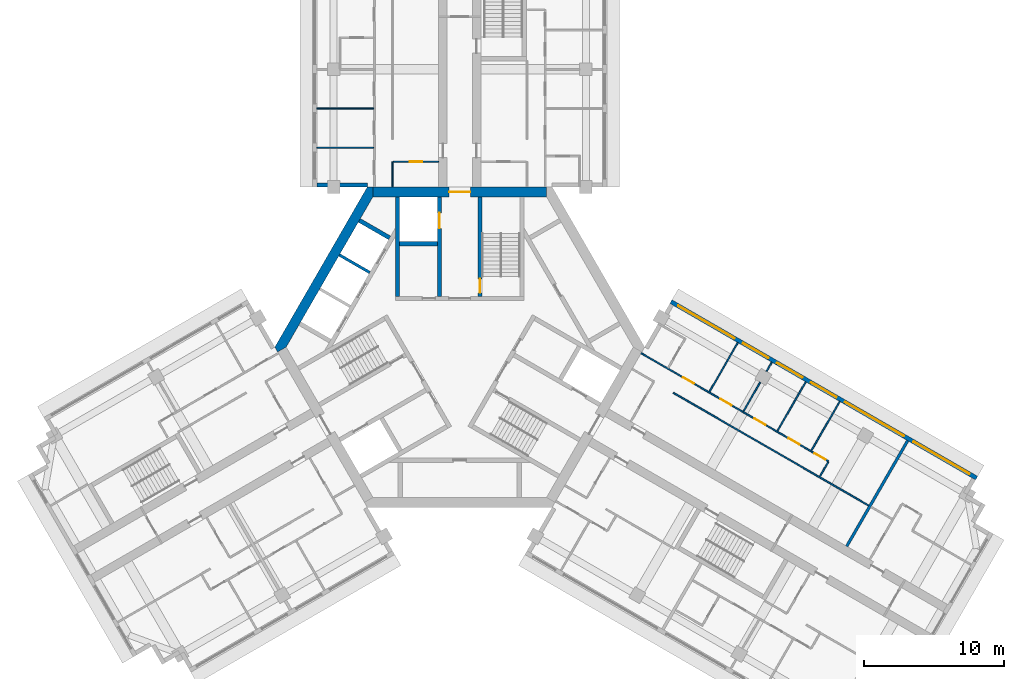
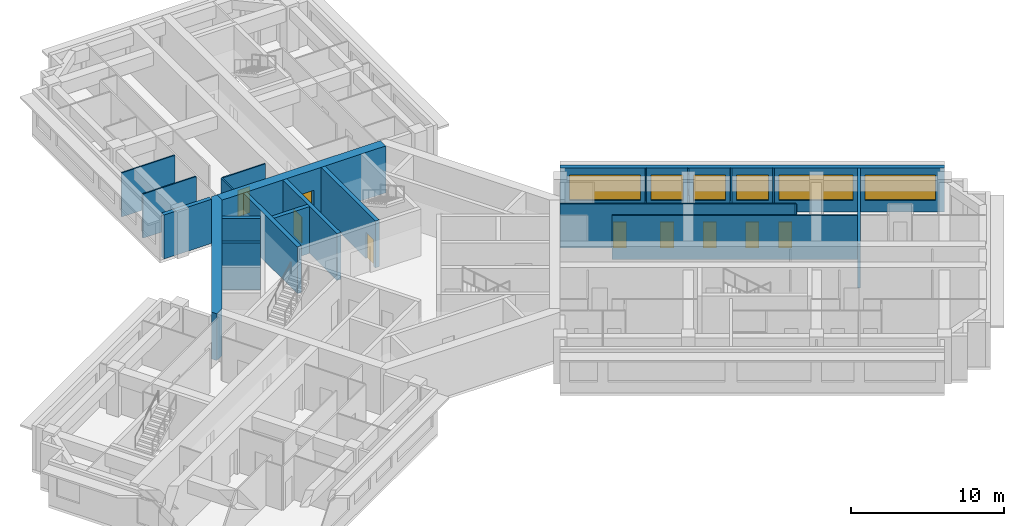
# One storey, part 6 of 10: 23 walls, 9 doors, 6 windows, 15 openings.
"""IFC4 building model written with IfcOpenShell, lengths in metres."""

from ifc_helpers import new_model, si_unit, direction, frame, frame_2d, origin, place, context, subcontext, project, spatial, polyline, rectangle, outline, extrude, material, layer, layer_set, type_object, element, fill, save


model = new_model("IFC4")

# Units and contexts
model_context = context("Model", 3, precision=1e-05, world=origin(), true_north=direction((0.0, 1.0)))
body_context = subcontext(model_context, "Body", "Model", "MODEL_VIEW")
ifc_project = project(units=[si_unit("LENGTHUNIT", "METRE"), si_unit("AREAUNIT", "SQUARE_METRE"), si_unit("VOLUMEUNIT", "CUBIC_METRE"), si_unit("PLANEANGLEUNIT", "RADIAN"), si_unit("MASSUNIT", "GRAM", prefix="KILO")], contexts=[model_context])

# Site, building, storey
site_placement = place(None, origin())
site = spatial("IfcSite", under=ifc_project, at=site_placement, CompositionType="ELEMENT")
building_placement = place(site_placement, origin())
building = spatial("IfcBuilding", under=site, at=building_placement, Name="Impinga Residences", CompositionType="ELEMENT")
storey_placement = place(building_placement, frame((0.0, 0.0, 233.5)))
storey = spatial("IfcBuildingStorey", under=building, at=storey_placement, Name="L58", CompositionType="ELEMENT", Elevation=233.5)

# Wall
ifc_material_1 = material(Name="Terracotta rainscreen on blockwork", Category="masonry")
ifc_layer_1 = layer(ifc_material_1, 0.300048828125)
ifc_layer_set_1 = layer_set([ifc_layer_1], Name="EW1 external wall, terracotta rainscreen on blockwork 300")
wall_type_1 = type_object("IfcWallType", Name="EW1 external wall, terracotta rainscreen on blockwork 300", PredefinedType="SOLIDWALL", material=ifc_layer_set_1)
wall_1_placement = place(storey_placement, frame((-6.60009765625, 11.58154296875, 0.0), z_axis=(0.0, 0.0, 1.0), x_axis=(-1.0, 0.0, 0.0)))
element("IfcWall", 1, at=wall_1_placement, inside=storey, type_object=wall_type_1, Name="External wall EW1 L58", PredefinedType="SOLIDWALL", context=body_context, shape_type="SweptSolid", body=[
    extrude(rectangle(XDim=3.599853515625, YDim=0.300048828125, at=frame_2d((1.7998046875, 0.0))), origin(), (0.0, 0.0, 1.0), 3.530029296875),
])

# Wall, openings, windows
wall_2_placement = place(storey_placement, frame((15.074951171875, 3.24755859375, 0.0), z_axis=(0.0, 0.0, 1.0), x_axis=(0.86602925447, -0.499993330357, 0.0)))
wall_2 = element("IfcWall", 2, at=wall_2_placement, inside=storey, type_object=wall_type_1, Name="External wall EW1 L58", PredefinedType="SOLIDWALL", context=body_context, shape_type="SweptSolid", body=[
    extrude(rectangle(XDim=25.199951171875, YDim=0.300048828125, at=frame_2d((12.60009765625, 0.0))), origin(), (0.0, 0.0, 1.0), 3.530029296875),
])
opening_1_placement = place(wall_2_placement, frame((0.60009765625, 0.0, 0.89990234375)))
opening_1 = element("IfcOpeningElement", 3, at=opening_1_placement, cuts=wall_2, Name="Opening W10", PredefinedType="OPENING", context=body_context, shape_type="SweptSolid", body=[
    extrude(rectangle(XDim=4.64990234375, YDim=2.050048828125, at=frame_2d((2.324951171875, 1.02490234375))), frame((0.0, 0.159912109375, 0.0), z_axis=(0.0, -1.0, 0.0), x_axis=(1.0, 0.0, 0.0)), (0.0, 0.0, 1.0), 0.320068359375),
])
opening_2_placement = place(wall_2_placement, frame((5.949951171875, 0.0, 0.89990234375)))
opening_2 = element("IfcOpeningElement", 4, at=opening_2_placement, cuts=wall_2, Name="Opening W9", PredefinedType="OPENING", context=body_context, shape_type="SweptSolid", body=[
    extrude(rectangle(XDim=2.10009765625, YDim=2.050048828125, at=frame_2d((1.050048828125, 1.02490234375))), frame((0.0, 0.159912109375, 0.0), z_axis=(0.0, -1.0, 0.0), x_axis=(1.0, 0.0, 0.0)), (0.0, 0.0, 1.0), 0.320068359375),
])
opening_3_placement = place(wall_2_placement, frame((8.75, 0.0, 0.89990234375)))
opening_3 = element("IfcOpeningElement", 5, at=opening_3_placement, cuts=wall_2, Name="Opening W9", PredefinedType="OPENING", context=body_context, shape_type="SweptSolid", body=[
    extrude(rectangle(XDim=2.10009765625, YDim=2.050048828125, at=frame_2d((1.050048828125, 1.02490234375))), frame((0.0, 0.159912109375, 0.0), z_axis=(0.0, -1.0, 0.0), x_axis=(1.0, 0.0, 0.0)), (0.0, 0.0, 1.0), 0.320068359375),
])
opening_4_placement = place(wall_2_placement, frame((11.550048828125, 0.0, 0.89990234375)))
opening_4 = element("IfcOpeningElement", 6, at=opening_4_placement, cuts=wall_2, Name="Opening W9", PredefinedType="OPENING", context=body_context, shape_type="SweptSolid", body=[
    extrude(rectangle(XDim=2.10009765625, YDim=2.050048828125, at=frame_2d((1.050048828125, 1.02490234375))), frame((0.0, 0.159912109375, 0.0), z_axis=(0.0, -1.0, 0.0), x_axis=(1.0, 0.0, 0.0)), (0.0, 0.0, 1.0), 0.320068359375),
])
opening_5_placement = place(wall_2_placement, frame((14.35009765625, 0.0, 0.89990234375)))
opening_5 = element("IfcOpeningElement", 7, at=opening_5_placement, cuts=wall_2, Name="Opening W6", PredefinedType="OPENING", context=body_context, shape_type="SweptSolid", body=[
    extrude(rectangle(XDim=4.85009765625, YDim=2.050048828125, at=frame_2d((2.425048828125, 1.02490234375))), frame((0.0, 0.159912109375, 0.0), z_axis=(0.0, -1.0, 0.0), x_axis=(1.0, 0.0, 0.0)), (0.0, 0.0, 1.0), 0.320068359375),
])
opening_6_placement = place(wall_2_placement, frame((20.0, 0.0, 0.89990234375)))
opening_6 = element("IfcOpeningElement", 8, at=opening_6_placement, cuts=wall_2, Name="Opening W3", PredefinedType="OPENING", context=body_context, shape_type="SweptSolid", body=[
    extrude(rectangle(XDim=4.60009765625, YDim=2.050048828125, at=frame_2d((2.300048828125, 1.02490234375))), frame((0.0, 0.159912109375, 0.0), z_axis=(0.0, -1.0, 0.0), x_axis=(1.0, 0.0, 0.0)), (0.0, 0.0, 1.0), 0.320068359375),
])
ifc_material_2 = material(Name="Aluminium window, clear double glazing", Category="aluminium")
window_type_1 = type_object("IfcWindowType", Name="W10 ribbon window 4650x2050", PartitioningType="SINGLE_PANEL", PredefinedType="WINDOW", material=ifc_material_2)
window_1_placement = place(opening_1_placement, origin())
window_1 = element("IfcWindow", 9, at=window_1_placement, inside=storey, type_object=window_type_1, Name="Window L58", OverallHeight=2.050048828125, OverallWidth=4.64990234375, PartitioningType="SINGLE_PANEL", PredefinedType="WINDOW", context=body_context, shape_type="SweptSolid", body=[
    extrude(rectangle(XDim=4.64990234375, YDim=2.050048828125, at=frame_2d((2.324951171875, 1.02490234375))), frame((0.0, 0.030029296875, 0.0), z_axis=(0.0, -1.0, 0.0), x_axis=(1.0, 0.0, 0.0)), (0.0, 0.0, 1.0), 0.06005859375),
])
fill(opening_1, window_1)
window_type_2 = type_object("IfcWindowType", Name="W3 ribbon window 4600x2050", PartitioningType="SINGLE_PANEL", PredefinedType="WINDOW", material=ifc_material_2)
window_2_placement = place(opening_6_placement, origin())
window_2 = element("IfcWindow", 10, at=window_2_placement, inside=storey, type_object=window_type_2, Name="Window L58", OverallHeight=2.050048828125, OverallWidth=4.60009765625, PartitioningType="SINGLE_PANEL", PredefinedType="WINDOW", context=body_context, shape_type="SweptSolid", body=[
    extrude(rectangle(XDim=4.60009765625, YDim=2.050048828125, at=frame_2d((2.300048828125, 1.02490234375))), frame((0.0, 0.030029296875, 0.0), z_axis=(0.0, -1.0, 0.0), x_axis=(1.0, 0.0, 0.0)), (0.0, 0.0, 1.0), 0.06005859375),
])
fill(opening_6, window_2)
window_type_3 = type_object("IfcWindowType", Name="W6 ribbon window 4850x2050", PartitioningType="SINGLE_PANEL", PredefinedType="WINDOW", material=ifc_material_2)
window_3_placement = place(opening_5_placement, origin())
window_3 = element("IfcWindow", 11, at=window_3_placement, inside=storey, type_object=window_type_3, Name="Window L58", OverallHeight=2.050048828125, OverallWidth=4.85009765625, PartitioningType="SINGLE_PANEL", PredefinedType="WINDOW", context=body_context, shape_type="SweptSolid", body=[
    extrude(rectangle(XDim=4.85009765625, YDim=2.050048828125, at=frame_2d((2.425048828125, 1.02490234375))), frame((0.0, 0.030029296875, 0.0), z_axis=(0.0, -1.0, 0.0), x_axis=(1.0, 0.0, 0.0)), (0.0, 0.0, 1.0), 0.06005859375),
])
fill(opening_5, window_3)
window_type_4 = type_object("IfcWindowType", Name="W9 ribbon window 2100x2050", PartitioningType="SINGLE_PANEL", PredefinedType="WINDOW", material=ifc_material_2)
window_4_placement = place(opening_2_placement, origin())
window_4 = element("IfcWindow", 12, at=window_4_placement, inside=storey, type_object=window_type_4, Name="Window L58", OverallHeight=2.050048828125, OverallWidth=2.10009765625, PartitioningType="SINGLE_PANEL", PredefinedType="WINDOW", context=body_context, shape_type="SweptSolid", body=[
    extrude(rectangle(XDim=2.10009765625, YDim=2.050048828125, at=frame_2d((1.050048828125, 1.02490234375))), frame((0.0, 0.030029296875, 0.0), z_axis=(0.0, -1.0, 0.0), x_axis=(1.0, 0.0, 0.0)), (0.0, 0.0, 1.0), 0.06005859375),
])
fill(opening_2, window_4)
window_5_placement = place(opening_3_placement, origin())
window_5 = element("IfcWindow", 13, at=window_5_placement, inside=storey, type_object=window_type_4, Name="Window L58", OverallHeight=2.050048828125, OverallWidth=2.10009765625, PartitioningType="SINGLE_PANEL", PredefinedType="WINDOW", context=body_context, shape_type="SweptSolid", body=[
    extrude(rectangle(XDim=2.10009765625, YDim=2.050048828125, at=frame_2d((1.050048828125, 1.02490234375))), frame((0.0, 0.030029296875, 0.0), z_axis=(0.0, -1.0, 0.0), x_axis=(1.0, 0.0, 0.0)), (0.0, 0.0, 1.0), 0.06005859375),
])
fill(opening_3, window_5)
window_6_placement = place(opening_4_placement, origin())
window_6 = element("IfcWindow", 14, at=window_6_placement, inside=storey, type_object=window_type_4, Name="Window L58", OverallHeight=2.050048828125, OverallWidth=2.10009765625, PartitioningType="SINGLE_PANEL", PredefinedType="WINDOW", context=body_context, shape_type="SweptSolid", body=[
    extrude(rectangle(XDim=2.10009765625, YDim=2.050048828125, at=frame_2d((1.050048828125, 1.02490234375))), frame((0.0, 0.030029296875, 0.0), z_axis=(0.0, -1.0, 0.0), x_axis=(1.0, 0.0, 0.0)), (0.0, 0.0, 1.0), 0.06005859375),
])
fill(opening_4, window_6)

# Wall
ifc_material_3 = material(Name="Gypsum board on steel studs", Category="steel")
ifc_layer_2 = layer(ifc_material_3, 0.10009765625)
ifc_layer_set_2 = layer_set([ifc_layer_2], Name="Gypsum board on steel studs")
wall_type_2 = type_object("IfcWallType", Name="IP1 partition 100", PredefinedType="PARTITIONING", material=ifc_layer_set_2)
wall_3_placement = place(storey_placement, frame((-4.800048828125, 11.431640625, 0.0), z_axis=(0.0, 0.0, 1.0), x_axis=(0.0, 1.0, 0.0)))
element("IfcWall", 15, at=wall_3_placement, inside=storey, type_object=wall_type_2, Name="Partition L58-NA1:DIV0", PredefinedType="PARTITIONING", context=body_context, shape_type="SweptSolid", body=[
    extrude(rectangle(XDim=1.7998046875, YDim=0.10009765625, at=frame_2d((0.89990234375, 0.0))), origin(), (0.0, 0.0, 1.0), 3.530029296875),
])

# Wall, opening, door
wall_4_placement = place(storey_placement, frame((-1.5, 13.2314453125, 0.0), z_axis=(0.0, 0.0, 1.0), x_axis=(-1.0, 0.0, 0.0)))
wall_4 = element("IfcWall", 16, at=wall_4_placement, inside=storey, type_object=wall_type_2, Name="Partition L58-NA1:IB1", PredefinedType="PARTITIONING", context=body_context, shape_type="SweptSolid", body=[
    extrude(rectangle(XDim=3.25, YDim=0.10009765625, at=frame_2d((1.625, 0.0))), origin(), (0.0, 0.0, 1.0), 3.530029296875),
])
opening_7_placement = place(wall_4_placement, frame((1.175048828125, 0.0, 0.0)))
opening_7 = element("IfcOpeningElement", 17, at=opening_7_placement, cuts=wall_4, Name="Opening D2", PredefinedType="OPENING", context=body_context, shape_type="SweptSolid", body=[
    extrude(rectangle(XDim=0.89990234375, YDim=2.10009765625, at=frame_2d((0.449951171875, 1.050048828125))), frame((0.0, 0.06005859375, 0.0), z_axis=(0.0, -1.0, 0.0), x_axis=(1.0, 0.0, 0.0)), (0.0, 0.0, 1.0), 0.1201171875),
])
ifc_material_4 = material(Name="Timber door set", Category="wood")
door_type_1 = type_object("IfcDoorType", Name="D2 internal door 900x2100", OperationType="SINGLE_SWING_LEFT", PredefinedType="DOOR", material=ifc_material_4)
door_1_placement = place(opening_7_placement, origin())
door_1 = element("IfcDoor", 18, at=door_1_placement, inside=storey, type_object=door_type_1, Name="Apartment L58-NA1 bathroom door", OperationType="SINGLE_SWING_LEFT", OverallHeight=2.10009765625, OverallWidth=0.89990234375, PredefinedType="DOOR", context=body_context, shape_type="SweptSolid", body=[
    extrude(rectangle(XDim=0.89990234375, YDim=2.10009765625, at=frame_2d((0.449951171875, 1.050048828125))), frame((0.0, 0.02490234375, 0.0), z_axis=(0.0, -1.0, 0.0), x_axis=(1.0, 0.0, 0.0)), (0.0, 0.0, 1.0), 0.050048828125),
])
fill(opening_7, door_1)

# Walls
for number, where, z_axis, x_axis, name in (
    (19, (-6.14990234375, 14.2314453125, 0.0), (0.0, 0.0, 1.0), (-1.0, 0.0, 0.0), "Partition L58-NA1:OB1"),
    (20, (-6.14990234375, 17.031494140625, 0.0), (0.0, 0.0, 1.0), (-1.0, 0.0, 0.0), "Partition L58-NA1:OB2"),
):
    element("IfcWall", number, at=place(storey_placement, frame(where, z_axis=z_axis, x_axis=x_axis)), inside=storey, type_object=wall_type_2, Name=name, PredefinedType="PARTITIONING", context=body_context, shape_type="SweptSolid", body=[
        extrude(rectangle(XDim=4.050048828125, YDim=0.10009765625, at=frame_2d((2.02490234375, 0.0))), origin(), (0.0, 0.0, 1.0), 3.530029296875),
    ])
wall_5_placement = place(storey_placement, frame((15.244384765625, -3.2587890625, 0.0), z_axis=(0.0, 0.0, 1.0), x_axis=(0.866025740127, -0.499999417437, 0.0)))
element("IfcWall", 21, at=wall_5_placement, inside=storey, type_object=wall_type_2, Name="Partition L58-EA1:DIV1", PredefinedType="PARTITIONING", context=body_context, shape_type="SweptSolid", body=[
    extrude(rectangle(XDim=16.10009765625, YDim=0.10009765625, at=frame_2d((8.050048828125, 0.0))), origin(), (0.0, 0.0, 1.0), 3.530029296875),
])

# Wall, openings, doors
wall_6_placement = place(storey_placement, frame((12.949951171875, -0.43310546875, 0.0), z_axis=(0.0, 0.0, 1.0), x_axis=(0.866030066916, -0.499991923133, 0.0)))
wall_6 = element("IfcWall", 22, at=wall_6_placement, inside=storey, type_object=wall_type_2, Name="Partition L58-EA1:STRIP", PredefinedType="PARTITIONING", context=body_context, shape_type="SweptSolid", body=[
    extrude(rectangle(XDim=15.449951171875, YDim=0.10009765625, at=frame_2d((7.72509765625, 0.0))), origin(), (0.0, 0.0, 1.0), 3.530029296875),
])
opening_8_placement = place(wall_6_placement, frame((3.449951171875, 0.0, 0.0)))
opening_8 = element("IfcOpeningElement", 23, at=opening_8_placement, cuts=wall_6, Name="Opening D2", PredefinedType="OPENING", context=body_context, shape_type="SweptSolid", body=[
    extrude(rectangle(XDim=0.89990234375, YDim=2.10009765625, at=frame_2d((0.449951171875, 1.050048828125))), frame((0.0, 0.06005859375, 0.0), z_axis=(0.0, -1.0, 0.0), x_axis=(1.0, 0.0, 0.0)), (0.0, 0.0, 1.0), 0.1201171875),
])
opening_9_placement = place(wall_6_placement, frame((6.550048828125, 0.0, 0.0)))
opening_9 = element("IfcOpeningElement", 24, at=opening_9_placement, cuts=wall_6, Name="Opening D2", PredefinedType="OPENING", context=body_context, shape_type="SweptSolid", body=[
    extrude(rectangle(XDim=0.89990234375, YDim=2.10009765625, at=frame_2d((0.449951171875, 1.050048828125))), frame((0.0, 0.06005859375, 0.0), z_axis=(0.0, -1.0, 0.0), x_axis=(1.0, 0.0, 0.0)), (0.0, 0.0, 1.0), 0.1201171875),
])
opening_10_placement = place(wall_6_placement, frame((9.35009765625, 0.0, 0.0)))
opening_10 = element("IfcOpeningElement", 25, at=opening_10_placement, cuts=wall_6, Name="Opening D2", PredefinedType="OPENING", context=body_context, shape_type="SweptSolid", body=[
    extrude(rectangle(XDim=0.89990234375, YDim=2.10009765625, at=frame_2d((0.449951171875, 1.050048828125))), frame((0.0, 0.06005859375, 0.0), z_axis=(0.0, -1.0, 0.0), x_axis=(1.0, 0.0, 0.0)), (0.0, 0.0, 1.0), 0.1201171875),
])
opening_11_placement = place(wall_6_placement, frame((12.14990234375, 0.0, 0.0)))
opening_11 = element("IfcOpeningElement", 26, at=opening_11_placement, cuts=wall_6, Name="Opening D2", PredefinedType="OPENING", context=body_context, shape_type="SweptSolid", body=[
    extrude(rectangle(XDim=0.89990234375, YDim=2.10009765625, at=frame_2d((0.449951171875, 1.050048828125))), frame((0.0, 0.06005859375, 0.0), z_axis=(0.0, -1.0, 0.0), x_axis=(1.0, 0.0, 0.0)), (0.0, 0.0, 1.0), 0.1201171875),
])
opening_12_placement = place(wall_6_placement, frame((14.300048828125, 0.0, 0.0)))
opening_12 = element("IfcOpeningElement", 27, at=opening_12_placement, cuts=wall_6, Name="Opening D2", PredefinedType="OPENING", context=body_context, shape_type="SweptSolid", body=[
    extrude(rectangle(XDim=0.89990234375, YDim=2.10009765625, at=frame_2d((0.449951171875, 1.050048828125))), frame((0.0, 0.06005859375, 0.0), z_axis=(0.0, -1.0, 0.0), x_axis=(1.0, 0.0, 0.0)), (0.0, 0.0, 1.0), 0.1201171875),
])
door_2_placement = place(opening_8_placement, origin())
door_2 = element("IfcDoor", 28, at=door_2_placement, inside=storey, type_object=door_type_1, Name="Apartment L58-EA1 room door", OperationType="SINGLE_SWING_LEFT", OverallHeight=2.10009765625, OverallWidth=0.89990234375, PredefinedType="DOOR", context=body_context, shape_type="SweptSolid", body=[
    extrude(rectangle(XDim=0.89990234375, YDim=2.10009765625, at=frame_2d((0.449951171875, 1.050048828125))), frame((0.0, 0.02490234375, 0.0), z_axis=(0.0, -1.0, 0.0), x_axis=(1.0, 0.0, 0.0)), (0.0, 0.0, 1.0), 0.050048828125),
])
fill(opening_8, door_2)
door_3_placement = place(opening_9_placement, origin())
door_3 = element("IfcDoor", 29, at=door_3_placement, inside=storey, type_object=door_type_1, Name="Apartment L58-EA1 room door", OperationType="SINGLE_SWING_LEFT", OverallHeight=2.10009765625, OverallWidth=0.89990234375, PredefinedType="DOOR", context=body_context, shape_type="SweptSolid", body=[
    extrude(rectangle(XDim=0.89990234375, YDim=2.10009765625, at=frame_2d((0.449951171875, 1.050048828125))), frame((0.0, 0.02490234375, 0.0), z_axis=(0.0, -1.0, 0.0), x_axis=(1.0, 0.0, 0.0)), (0.0, 0.0, 1.0), 0.050048828125),
])
fill(opening_9, door_3)
door_4_placement = place(opening_10_placement, origin())
door_4 = element("IfcDoor", 30, at=door_4_placement, inside=storey, type_object=door_type_1, Name="Apartment L58-EA1 room door", OperationType="SINGLE_SWING_RIGHT", OverallHeight=2.10009765625, OverallWidth=0.89990234375, PredefinedType="DOOR", context=body_context, shape_type="SweptSolid", body=[
    extrude(rectangle(XDim=0.89990234375, YDim=2.10009765625, at=frame_2d((0.449951171875, 1.050048828125))), frame((0.0, 0.02490234375, 0.0), z_axis=(0.0, -1.0, 0.0), x_axis=(1.0, 0.0, 0.0)), (0.0, 0.0, 1.0), 0.050048828125),
])
fill(opening_10, door_4)
door_5_placement = place(opening_11_placement, origin())
door_5 = element("IfcDoor", 31, at=door_5_placement, inside=storey, type_object=door_type_1, Name="Apartment L58-EA1 room door", OperationType="SINGLE_SWING_RIGHT", OverallHeight=2.10009765625, OverallWidth=0.89990234375, PredefinedType="DOOR", context=body_context, shape_type="SweptSolid", body=[
    extrude(rectangle(XDim=0.89990234375, YDim=2.10009765625, at=frame_2d((0.449951171875, 1.050048828125))), frame((0.0, 0.02490234375, 0.0), z_axis=(0.0, -1.0, 0.0), x_axis=(1.0, 0.0, 0.0)), (0.0, 0.0, 1.0), 0.050048828125),
])
fill(opening_11, door_5)
door_6_placement = place(opening_12_placement, origin())
door_6 = element("IfcDoor", 32, at=door_6_placement, inside=storey, type_object=door_type_1, Name="Apartment L58-EA1 room door", OperationType="SINGLE_SWING_RIGHT", OverallHeight=2.10009765625, OverallWidth=0.89990234375, PredefinedType="DOOR", context=body_context, shape_type="SweptSolid", body=[
    extrude(rectangle(XDim=0.89990234375, YDim=2.10009765625, at=frame_2d((0.449951171875, 1.050048828125))), frame((0.0, 0.02490234375, 0.0), z_axis=(0.0, -1.0, 0.0), x_axis=(1.0, 0.0, 0.0)), (0.0, 0.0, 1.0), 0.050048828125),
])
fill(opening_12, door_6)

# Walls
wall_7_placement = place(storey_placement, frame((25.705078125, -9.240478515625, 0.0), z_axis=(0.0, 0.0, 1.0), x_axis=(0.50012165622, 0.865955154139, 0.0)))
element("IfcWall", 33, at=wall_7_placement, inside=storey, type_object=wall_type_2, Name="Partition L58-EA1:SE1", PredefinedType="PARTITIONING", context=body_context, shape_type="SweptSolid", body=[
    extrude(rectangle(XDim=1.199951171875, YDim=0.10009765625, at=frame_2d((0.60009765625, 0.0))), origin(), (0.0, 0.0, 1.0), 3.530029296875),
])
wall_8_placement = place(storey_placement, frame((17.82470703125, -3.189697265625, 0.0), z_axis=(0.0, 0.0, 1.0), x_axis=(0.500035537042, 0.866004885491, 0.0)))
element("IfcWall", 34, at=wall_8_placement, inside=storey, type_object=wall_type_2, Name="Partition L58-EA1:OB1", PredefinedType="PARTITIONING", context=body_context, shape_type="SweptSolid", body=[
    extrude(rectangle(XDim=4.050048828125, YDim=0.10009765625, at=frame_2d((2.02490234375, 0.0))), origin(), (0.0, 0.0, 1.0), 3.530029296875),
])
wall_9_placement = place(storey_placement, frame((20.24951171875, -4.589599609375, 0.0), z_axis=(0.0, 0.0, 1.0), x_axis=(0.500077600433, 0.865980596518, 0.0)))
element("IfcWall", 35, at=wall_9_placement, inside=storey, type_object=wall_type_2, Name="Partition L58-EA1:OB2", PredefinedType="PARTITIONING", context=body_context, shape_type="SweptSolid", body=[
    extrude(rectangle(XDim=2.39990234375, YDim=0.10009765625, at=frame_2d((1.199951171875, 0.0))), origin(), (0.0, 0.0, 1.0), 2.47998046875),
])
wall_10_placement = place(storey_placement, frame((21.899658203125, -1.73193359375, 0.0), z_axis=(0.0, 0.0, 1.0), x_axis=(0.499919672301, 0.866071776036, 0.0)))
element("IfcWall", 36, at=wall_10_placement, inside=storey, type_object=wall_type_2, Name="Partition L58-EA1:OB2b", PredefinedType="PARTITIONING", context=body_context, shape_type="SweptSolid", body=[
    extrude(rectangle(XDim=0.75, YDim=0.10009765625, at=frame_2d((0.375, 0.0))), origin(), (0.0, 0.0, 1.0), 3.530029296875),
])
for number, where, z_axis, x_axis, name in (
    (37, (22.674560546875, -5.98974609375, 0.0), (0.0, 0.0, 1.0), (0.499990325971, 0.866030989016, 0.0), "Partition L58-EA1:OB3"),
    (38, (25.099365234375, -7.3896484375, 0.0), (0.0, 0.0, 1.0), (0.499990325971, 0.866030989016, 0.0), "Partition L58-EA1:OB4"),
):
    element("IfcWall", number, at=place(storey_placement, frame(where, z_axis=z_axis, x_axis=x_axis)), inside=storey, type_object=wall_type_2, Name=name, PredefinedType="PARTITIONING", context=body_context, shape_type="SweptSolid", body=[
        extrude(rectangle(XDim=4.0498046875, YDim=0.10009765625, at=frame_2d((2.02490234375, 0.0))), origin(), (0.0, 0.0, 1.0), 3.530029296875),
    ])
ifc_material_5 = material(Name="Concrete blockwork", Category="masonry")
ifc_layer_3 = layer(ifc_material_5, 0.199951171875)
ifc_layer_set_3 = layer_set([ifc_layer_3], Name="PW1 party wall between apartments 200")
wall_type_3 = type_object("IfcWallType", Name="PW1 party wall between apartments 200", PredefinedType="SOLIDWALL", material=ifc_layer_set_3)
wall_11_placement = place(storey_placement, frame((27.6240234375, -14.216796875, 0.0), z_axis=(0.0, 0.0, 1.0), x_axis=(0.500008278454, 0.866020624164, 0.0)))
element("IfcWall", 39, at=wall_11_placement, inside=storey, type_object=wall_type_3, Name="Party wall between apartments L58-EA1:PARTY", PredefinedType="SOLIDWALL", context=body_context, shape_type="SweptSolid", body=[
    extrude(rectangle(XDim=8.699951171875, YDim=0.199951171875, at=frame_2d((4.35009765625, 0.0))), origin(), (0.0, 0.0, 1.0), 3.530029296875),
])

# Wall, opening, door
ifc_material_6 = material(Name="Concrete C60/75", Category="concrete")
ifc_layer_4 = layer(ifc_material_6, 0.699951171875)
ifc_layer_set_4 = layer_set([ifc_layer_4], Name="Concrete C60/75")
wall_type_4 = type_object("IfcWallType", Name="SW3 core wall 700", PredefinedType="SHEAR", material=ifc_layer_set_4)
wall_12_placement = place(storey_placement, frame((-6.19580078125, 11.08154296875, 0.0), z_axis=(0.0, 0.0, 1.0), x_axis=(1.0, 0.0, 0.0)))
wall_12 = element("IfcWall", 40, at=wall_12_placement, inside=storey, type_object=wall_type_4, Name="Core wall SW3 N:FACE L58", PredefinedType="SHEAR", context=body_context, shape_type="SweptSolid", body=[
    extrude(rectangle(XDim=12.3916015625, YDim=0.699951171875, at=frame_2d((6.19580078125, 0.0))), origin(), (0.0, 0.0, 1.0), 3.75),
])
opening_13_placement = place(wall_12_placement, frame((5.44580078125, 0.0, 0.0)))
opening_13 = element("IfcOpeningElement", 41, at=opening_13_placement, cuts=wall_12, Name="Opening D4", PredefinedType="OPENING", context=body_context, shape_type="SweptSolid", body=[
    extrude(rectangle(XDim=1.5, YDim=2.10009765625, at=frame_2d((0.75, 1.050048828125))), frame((0.0, 0.35986328125, 0.0), z_axis=(0.0, -1.0, 0.0), x_axis=(1.0, 0.0, 0.0)), (0.0, 0.0, 1.0), 0.719970703125),
])
door_type_2 = type_object("IfcDoorType", Name="D4 lobby door pair 1500x2100", OperationType="DOUBLE_DOOR_DOUBLE_SWING", PredefinedType="DOOR", material=ifc_material_4)
door_7_placement = place(opening_13_placement, origin())
door_7 = element("IfcDoor", 42, at=door_7_placement, inside=storey, type_object=door_type_2, Name="Lobby door N", OperationType="DOUBLE_DOOR_DOUBLE_SWING", OverallHeight=2.10009765625, OverallWidth=1.5, PredefinedType="DOOR", context=body_context, shape_type="SweptSolid", body=[
    extrude(rectangle(XDim=1.5, YDim=2.10009765625, at=frame_2d((0.75, 1.050048828125))), frame((0.0, 0.02490234375, 0.0), z_axis=(0.0, -1.0, 0.0), x_axis=(1.0, 0.0, 0.0)), (0.0, 0.0, 1.0), 0.050048828125),
])
fill(opening_13, door_7)

# Wall
wall_13_placement = place(storey_placement, origin())
element("IfcWall", 43, at=wall_13_placement, inside=storey, type_object=wall_type_4, Name="Core wall SW3 E:EXPOSED L58", PredefinedType="SHEAR", context=body_context, shape_type="SweptSolid", body=[
    extrude(outline(polyline([(-6.60009765625, 11.431640625), (-13.199951171875, 0.0), (-12.998046875, -0.35009765625), (-12.3916015625, 0.0), (-6.19580078125, 10.7314453125), (-6.19580078125, 11.431640625), (-6.60009765625, 11.431640625)])), origin(), (0.0, 0.0, 1.0), 3.75),
])

# Wall, opening, door
ifc_material_7 = material(Name="Concrete C70/85", Category="concrete")
ifc_layer_5 = layer(ifc_material_7, 0.300048828125)
ifc_layer_set_5 = layer_set([ifc_layer_5], Name="Concrete C70/85")
wall_type_5 = type_object("IfcWallType", Name="SW5 core inner wall, stairs, shafts and lobbies 300", PredefinedType="SHEAR", material=ifc_layer_set_5)
wall_14_placement = place(storey_placement, frame((1.449951171875, 3.6298828125, 0.0), z_axis=(0.0, 0.0, 1.0), x_axis=(0.0, 1.0, 0.0)))
wall_14 = element("IfcWall", 44, at=wall_14_placement, inside=storey, type_object=wall_type_5, Name="Core wall SW5 N:ST-IN L58", PredefinedType="SHEAR", context=body_context, shape_type="SweptSolid", body=[
    extrude(rectangle(XDim=7.1015625, YDim=0.300048828125, at=frame_2d((3.55078125, 0.0))), origin(), (0.0, 0.0, 1.0), 3.75),
])
opening_14_placement = place(wall_14_placement, frame((0.25, 0.0, 0.0)))
opening_14 = element("IfcOpeningElement", 45, at=opening_14_placement, cuts=wall_14, Name="Opening D5", PredefinedType="OPENING", context=body_context, shape_type="SweptSolid", body=[
    extrude(rectangle(XDim=1.0, YDim=2.10009765625, at=frame_2d((0.5, 1.050048828125))), frame((0.0, 0.159912109375, 0.0), z_axis=(0.0, -1.0, 0.0), x_axis=(1.0, 0.0, 0.0)), (0.0, 0.0, 1.0), 0.320068359375),
])
door_type_3 = type_object("IfcDoorType", Name="D5 stair door 1000x2100", OperationType="SINGLE_SWING_LEFT", PredefinedType="DOOR", material=ifc_material_4)
door_8_placement = place(opening_14_placement, origin())
door_8 = element("IfcDoor", 46, at=door_8_placement, inside=storey, type_object=door_type_3, Name="Stair door N", OperationType="SINGLE_SWING_LEFT", OverallHeight=2.10009765625, OverallWidth=1.0, PredefinedType="DOOR", context=body_context, shape_type="SweptSolid", body=[
    extrude(rectangle(XDim=1.0, YDim=2.10009765625, at=frame_2d((0.5, 1.050048828125))), frame((0.0, 0.02490234375, 0.0), z_axis=(0.0, -1.0, 0.0), x_axis=(1.0, 0.0, 0.0)), (0.0, 0.0, 1.0), 0.050048828125),
])
fill(opening_14, door_8)

wall_15_placement = place(storey_placement, frame((-1.449951171875, 3.6298828125, 0.0), z_axis=(0.0, 0.0, 1.0), x_axis=(0.0, 1.0, 0.0)))
wall_15 = element("IfcWall", 47, at=wall_15_placement, inside=storey, type_object=wall_type_5, Name="Core wall SW5 N:FF-IN L58", PredefinedType="SHEAR", context=body_context, shape_type="SweptSolid", body=[
    extrude(rectangle(XDim=7.1015625, YDim=0.300048828125, at=frame_2d((3.55078125, 0.0))), origin(), (0.0, 0.0, 1.0), 3.75),
])
opening_15_placement = place(wall_15_placement, frame((4.85009765625, 0.0, 0.0)))
opening_15 = element("IfcOpeningElement", 48, at=opening_15_placement, cuts=wall_15, Name="Opening LD2", PredefinedType="OPENING", context=body_context, shape_type="SweptSolid", body=[
    extrude(rectangle(XDim=1.10009765625, YDim=2.10009765625, at=frame_2d((0.550048828125, 1.050048828125))), frame((0.0, 0.159912109375, 0.0), z_axis=(0.0, -1.0, 0.0), x_axis=(1.0, 0.0, 0.0)), (0.0, 0.0, 1.0), 0.320068359375),
])
ifc_material_8 = material(Name="Steel lift landing door", Category="steel")
door_type_4 = type_object("IfcDoorType", Name="LD2 firefighting lift landing door 1100x2100", OperationType="DOUBLE_DOOR_SLIDING", PredefinedType="DOOR", material=ifc_material_8)
door_9_placement = place(opening_15_placement, origin())
door_9 = element("IfcDoor", 49, at=door_9_placement, inside=storey, type_object=door_type_4, Name="Firefighting lift landing door F1", OperationType="DOUBLE_DOOR_SLIDING", OverallHeight=2.10009765625, OverallWidth=1.10009765625, PredefinedType="DOOR", context=body_context, shape_type="SweptSolid", body=[
    extrude(rectangle(XDim=1.10009765625, YDim=2.10009765625, at=frame_2d((0.550048828125, 1.050048828125))), frame((0.0, 0.02490234375, 0.0), z_axis=(0.0, -1.0, 0.0), x_axis=(1.0, 0.0, 0.0)), (0.0, 0.0, 1.0), 0.050048828125),
])
fill(opening_15, door_9)

# Walls
wall_16_placement = place(storey_placement, frame((-4.449951171875, 3.6298828125, 0.0), z_axis=(0.0, 0.0, 1.0), x_axis=(0.0, 1.0, 0.0)))
element("IfcWall", 50, at=wall_16_placement, inside=storey, type_object=wall_type_5, Name="Core wall SW5 N:FF-OUT L58", PredefinedType="SHEAR", context=body_context, shape_type="SweptSolid", body=[
    extrude(rectangle(XDim=7.1015625, YDim=0.300048828125, at=frame_2d((3.55078125, 0.0))), origin(), (0.0, 0.0, 1.0), 3.75),
])
wall_17_placement = place(storey_placement, frame((-4.300048828125, 7.3798828125, 0.0), z_axis=(0.0, 0.0, 1.0), x_axis=(1.0, 0.0, 0.0)))
element("IfcWall", 51, at=wall_17_placement, inside=storey, type_object=wall_type_5, Name="Core wall SW5 N:FF-RS L58", PredefinedType="SHEAR", context=body_context, shape_type="SweptSolid", body=[
    extrude(rectangle(XDim=2.699951171875, YDim=0.300048828125, at=frame_2d((1.35009765625, 0.0))), origin(), (0.0, 0.0, 1.0), 3.75),
])
wall_18_placement = place(storey_placement, frame((-5.003662109375, 7.79638671875, 0.0), z_axis=(0.0, 0.0, 1.0), x_axis=(-0.866022959057, 0.500004234368, 0.0)))
element("IfcWall", 52, at=wall_18_placement, inside=storey, type_object=wall_type_5, Name="Core wall SW5 E:BANK-R L58", PredefinedType="SHEAR", context=body_context, shape_type="SweptSolid", body=[
    extrude(rectangle(XDim=2.5, YDim=0.300048828125, at=frame_2d((1.25, 0.0))), origin(), (0.0, 0.0, 1.0), 3.75),
])
ifc_layer_6 = layer(ifc_material_7, 0.199951171875)
ifc_layer_set_6 = layer_set([ifc_layer_6], Name="Concrete C70/85")
wall_type_6 = type_object("IfcWallType", Name="SW6 lift shaft divider wall 200", PredefinedType="SHEAR", material=ifc_layer_set_6)
wall_19_placement = place(storey_placement, frame((-6.4287109375, 5.328125, 0.0), z_axis=(0.0, 0.0, 1.0), x_axis=(-0.866022959057, 0.500004234368, 0.0)))
element("IfcWall", 53, at=wall_19_placement, inside=storey, type_object=wall_type_6, Name="Core wall SW6 E:BANK-D2 L58", PredefinedType="SHEAR", context=body_context, shape_type="SweptSolid", body=[
    extrude(rectangle(XDim=2.5, YDim=0.199951171875, at=frame_2d((1.25, 0.0))), origin(), (0.0, 0.0, 1.0), 3.75),
])

save(model, "model.ifc")
